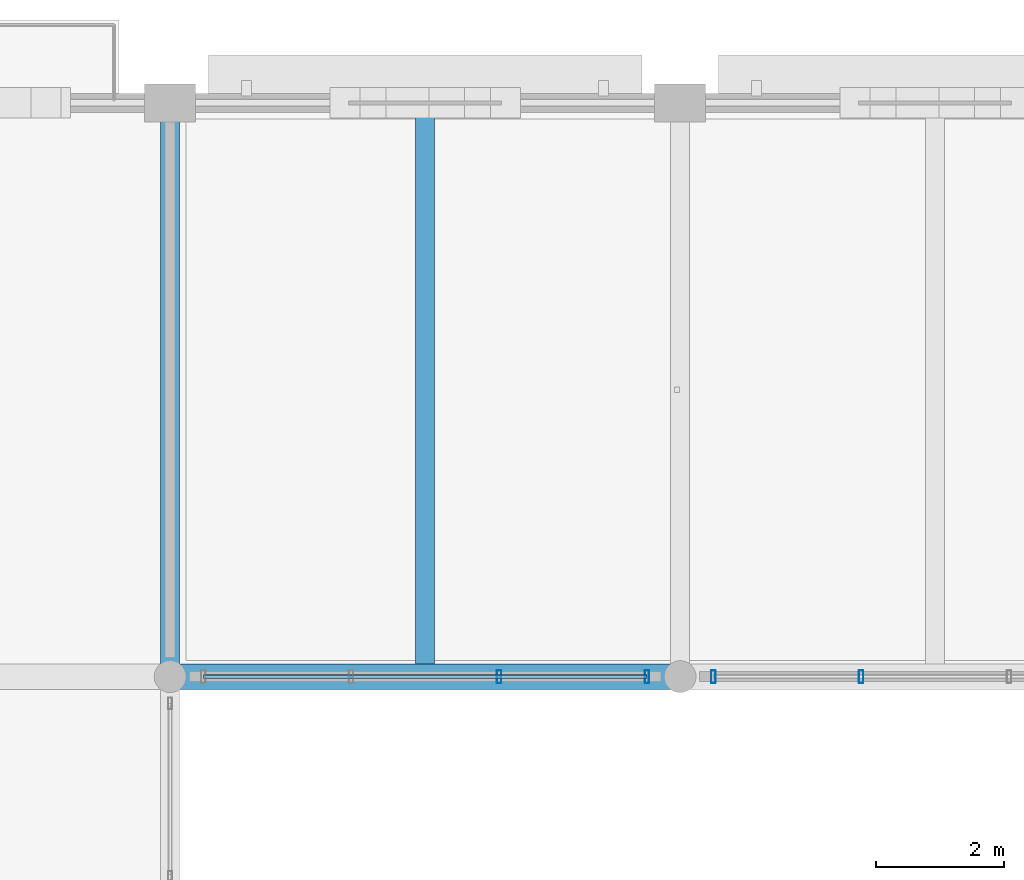
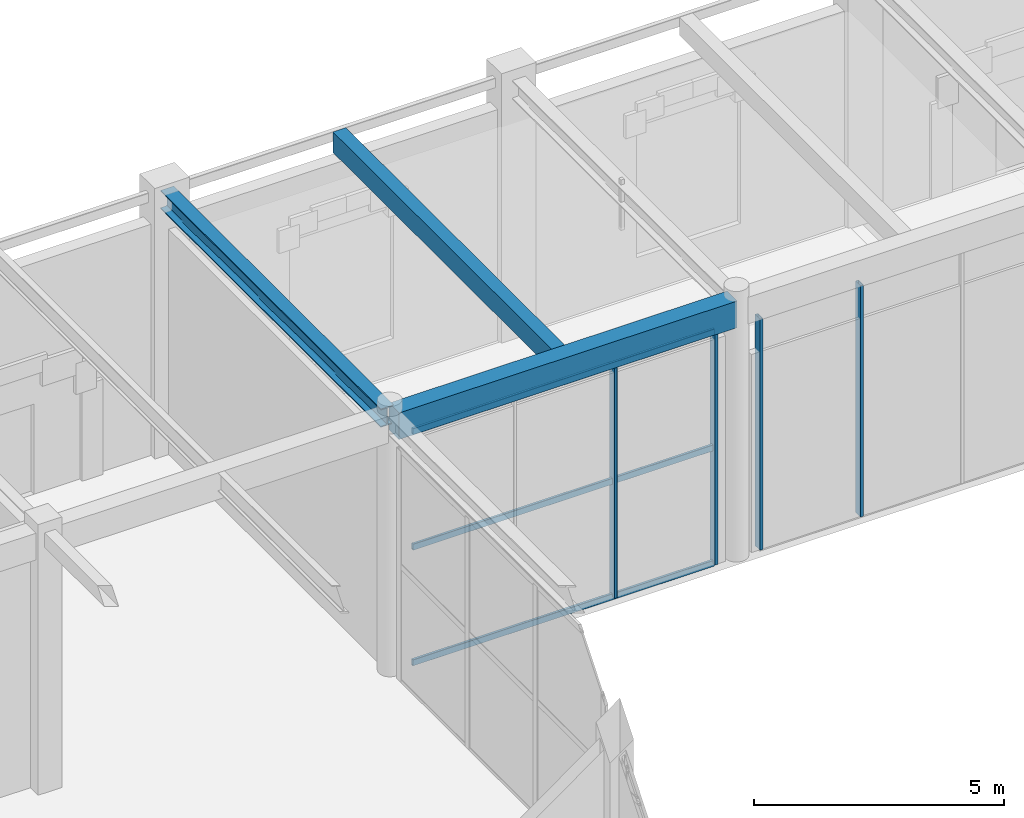
# One storey, part 73 of 163: 7 members, 3 beams, 2 elements without a shape of their own.
"""IFC4 building model written with IfcOpenShell, lengths in metres."""

from ifc_helpers import new_model, si_unit, direction, frame, origin, origin_2d, place, context, subcontext, project, spatial, rectangle, hollow_rectangle, i_section, extrude, material, material_profile, profile_set, type_object, element, aggregate, save


model = new_model("IFC4")

# Units and contexts
model_context = context("Model", 3, precision=1e-05, world=origin(), true_north=direction((0.0, 1.0)))
body_context = subcontext(model_context, "Body", "Model", "MODEL_VIEW")
ifc_project = project(units=[si_unit("LENGTHUNIT", "METRE"), si_unit("AREAUNIT", "SQUARE_METRE"), si_unit("VOLUMEUNIT", "CUBIC_METRE"), si_unit("PLANEANGLEUNIT", "RADIAN"), si_unit("MASSUNIT", "GRAM", prefix="KILO")], contexts=[model_context])

# Site, building, storey
site_placement = place(None, origin())
site = spatial("IfcSite", under=ifc_project, at=site_placement, CompositionType="ELEMENT")
building_placement = place(site_placement, origin())
building = spatial("IfcBuilding", under=site, at=building_placement, Name="Varnabhumi Central Station", CompositionType="ELEMENT")
storey_placement = place(building_placement, frame((0.0, 0.0, 9.60009765625)))
storey = spatial("IfcBuildingStorey", under=building, at=storey_placement, Name="L02", CompositionType="ELEMENT", Elevation=9.60009765625)

# Beams
ifc_material_1 = material(Name="Concrete M40", Category="concrete")
ifc_material_profile_1 = material_profile(ifc_material_1, rectangle(XDim=0.300048828125, YDim=0.5, at=origin_2d()), Name="Concrete M40", Category="concrete")
ifc_profile_set_1 = profile_set([ifc_material_profile_1], Name="Concrete M40")
beam_type_1 = type_object("IfcBeamType", Name="BM-RC-300x500", PredefinedType="JOIST", material=ifc_profile_set_1)
beam_1_placement = place(storey_placement, frame((52.0, 107.199951171875, 6.099853515625), z_axis=(0.0, 1.0, 0.0), x_axis=(-1.0, 0.0, 0.0)))
element("IfcBeam", 1, at=beam_1_placement, inside=storey, type_object=beam_type_1, Name="Secondary Joist L02-7/8:N-P", PredefinedType="JOIST", context=body_context, shape_type="SweptSolid", body=[
    extrude(rectangle(XDim=0.300048828125, YDim=0.5, at=origin_2d()), origin(), (0.0, 0.0, 1.0), 8.739990234375),
])
ifc_material_profile_2 = material_profile(ifc_material_1, rectangle(XDim=0.39990234375, YDim=0.64990234375, at=origin_2d()), Name="Concrete M40", Category="concrete")
ifc_profile_set_2 = profile_set([ifc_material_profile_2], Name="Concrete M40")
beam_type_2 = type_object("IfcBeamType", Name="BM-RC-400x650", PredefinedType="BEAM", material=ifc_profile_set_2)
beam_2_placement = place(storey_placement, frame((48.10009765625, 107.0, 6.02490234375), z_axis=(1.0, 0.0, 0.0), x_axis=(0.0, 1.0, 0.0)))
element("IfcBeam", 2, at=beam_2_placement, inside=storey, type_object=beam_type_2, Name="Beam L02-N:7-8", PredefinedType="BEAM", context=body_context, shape_type="SweptSolid", body=[
    extrude(rectangle(XDim=0.39990234375, YDim=0.64990234375, at=origin_2d()), origin(), (0.0, 0.0, 1.0), 7.7998046875),
])
ifc_material_2 = material(Name="Structural steel E350", Category="steel")
ifc_material_profile_3 = material_profile(ifc_material_2, i_section(OverallWidth=0.300048828125, OverallDepth=0.449951171875, WebThickness=0.013916015625, FlangeThickness=0.02587890625, FilletRadius=0.027099609375, at=origin_2d()), Name="Structural steel E350", Category="steel")
ifc_profile_set_3 = profile_set([ifc_material_profile_3], Name="Structural steel E350")
beam_type_3 = type_object("IfcBeamType", Name="BM-STL-WPB450", PredefinedType="BEAM", material=ifc_profile_set_3)
beam_3_placement = place(storey_placement, frame((48.0, 107.10009765625, 6.125), z_axis=(0.0, 1.0, 0.0), x_axis=(-1.0, 0.0, 0.0)))
element("IfcBeam", 3, at=beam_3_placement, inside=storey, type_object=beam_type_3, Name="Beam L02-7:N-P", PredefinedType="BEAM", context=body_context, shape_type="SweptSolid", body=[
    extrude(i_section(OverallWidth=0.300048828125, OverallDepth=0.449951171875, WebThickness=0.013916015625, FlangeThickness=0.02587890625, FilletRadius=0.027099609375, at=origin_2d()), origin(), (0.0, 0.0, 1.0), 8.7998046875),
])

# Curtain wall, members
ifc_material_3 = material(Name="Anodised aluminium 6063-T6", Category="aluminium")
curtain_wall_type = type_object("IfcCurtainWallType", Name="CW-PATIO-LOGGIA-L2", PredefinedType="NOTDEFINED", material=ifc_material_3)
curtain_wall_1_placement = place(storey_placement, origin())
curtain_wall_1 = element("IfcCurtainWall", 4, at=curtain_wall_1_placement, inside=storey, type_object=curtain_wall_type, Name="Curtain Wall CW-NP2N1", PredefinedType="NOTDEFINED")
ifc_material_profile_4 = material_profile(ifc_material_3, hollow_rectangle(XDim=0.070068359375, YDim=0.199951171875, WallThickness=0.00439453125, InnerFilletRadius=0.00146484375, OuterFilletRadius=0.006103515625, at=origin_2d()), Name="Anodised aluminium 6063-T6", Category="aluminium")
ifc_profile_set_4 = profile_set([ifc_material_profile_4], Name="Anodised aluminium 6063-T6")
member_type_1 = type_object("IfcMemberType", Name="CW-MUL-200", PredefinedType="MULLION", material=ifc_profile_set_4)
member_1_placement = place(storey_placement, frame((53.159912109375, 107.0, 0.0), z_axis=(0.0, 0.0, 1.0), x_axis=(1.0, 0.0, 0.0)))
member_1 = element("IfcMember", 5, at=member_1_placement, type_object=member_type_1, Name="Curtain Wall Mullion CW-NP2N1-M3", PredefinedType="MULLION", context=body_context, shape_type="SweptSolid", body=[
    extrude(hollow_rectangle(XDim=0.070068359375, YDim=0.199951171875, WallThickness=0.00439453125, InnerFilletRadius=0.00146484375, OuterFilletRadius=0.006103515625, at=origin_2d()), origin(), (0.0, 0.0, 1.0), 5.639892578125),
])
member_2_placement = place(storey_placement, frame((55.47998046875, 107.0, 0.0), z_axis=(0.0, 0.0, 1.0), x_axis=(1.0, 0.0, 0.0)))
member_2 = element("IfcMember", 6, at=member_2_placement, type_object=member_type_1, Name="Curtain Wall Mullion CW-NP2N1-M4", PredefinedType="MULLION", context=body_context, shape_type="SweptSolid", body=[
    extrude(hollow_rectangle(XDim=0.070068359375, YDim=0.199951171875, WallThickness=0.00439453125, InnerFilletRadius=0.00146484375, OuterFilletRadius=0.006103515625, at=origin_2d()), origin(), (0.0, 0.0, 1.0), 5.639892578125),
])

curtain_wall_2_placement = place(storey_placement, origin())
curtain_wall_2 = element("IfcCurtainWall", 7, at=curtain_wall_2_placement, inside=storey, type_object=curtain_wall_type, Name="Curtain Wall CW-NP2N2", PredefinedType="NOTDEFINED")
member_3_placement = place(storey_placement, frame((56.52001953125, 107.0, 0.0), z_axis=(0.0, 0.0, 1.0), x_axis=(1.0, 0.0, 0.0)))
member_3 = element("IfcMember", 8, at=member_3_placement, type_object=member_type_1, Name="Curtain Wall Mullion CW-NP2N2-M1", PredefinedType="MULLION", context=body_context, shape_type="SweptSolid", body=[
    extrude(hollow_rectangle(XDim=0.070068359375, YDim=0.199951171875, WallThickness=0.00439453125, InnerFilletRadius=0.00146484375, OuterFilletRadius=0.006103515625, at=origin_2d()), origin(), (0.0, 0.0, 1.0), 5.639892578125),
])
member_4_placement = place(storey_placement, frame((58.840087890625, 107.0, 0.0), z_axis=(0.0, 0.0, 1.0), x_axis=(1.0, 0.0, 0.0)))
member_4 = element("IfcMember", 9, at=member_4_placement, type_object=member_type_1, Name="Curtain Wall Mullion CW-NP2N2-M2", PredefinedType="MULLION", context=body_context, shape_type="SweptSolid", body=[
    extrude(hollow_rectangle(XDim=0.070068359375, YDim=0.199951171875, WallThickness=0.00439453125, InnerFilletRadius=0.00146484375, OuterFilletRadius=0.006103515625, at=origin_2d()), origin(), (0.0, 0.0, 1.0), 5.639892578125),
])
aggregate(curtain_wall_2, [member_3, member_4])

# Member
ifc_material_profile_5 = material_profile(ifc_material_3, hollow_rectangle(XDim=0.06005859375, YDim=0.14990234375, WallThickness=0.00390625, InnerFilletRadius=0.001953125, OuterFilletRadius=0.006103515625, at=origin_2d()), Name="Anodised aluminium 6063-T6", Category="aluminium")
ifc_profile_set_5 = profile_set([ifc_material_profile_5], Name="Anodised aluminium 6063-T6")
member_type_2 = type_object("IfcMemberType", Name="CW-TR-150", PredefinedType="USERDEFINED", material=ifc_profile_set_5)
member_5_placement = place(storey_placement, frame((48.52001953125, 107.0, 0.0), z_axis=(1.0, 0.0, 0.0), x_axis=(0.0, 1.0, 0.0)))
member_5 = element("IfcMember", 10, at=member_5_placement, type_object=member_type_2, Name="Curtain Wall Transom CW-NP2N1-T1", ObjectType="TRANSOM", PredefinedType="USERDEFINED", context=body_context, shape_type="SweptSolid", body=[
    extrude(hollow_rectangle(XDim=0.06005859375, YDim=0.14990234375, WallThickness=0.00390625, InnerFilletRadius=0.001953125, OuterFilletRadius=0.006103515625, at=origin_2d()), origin(), (0.0, 0.0, 1.0), 6.9599609375),
])

member_6_placement = place(storey_placement, frame((48.52001953125, 107.0, 2.81982421875), z_axis=(1.0, 0.0, 0.0), x_axis=(0.0, 1.0, 0.0)))
member_6 = element("IfcMember", 11, at=member_6_placement, type_object=member_type_2, Name="Curtain Wall Transom CW-NP2N1-T2", ObjectType="TRANSOM", PredefinedType="USERDEFINED", context=body_context, shape_type="SweptSolid", body=[
    extrude(hollow_rectangle(XDim=0.06005859375, YDim=0.14990234375, WallThickness=0.00390625, InnerFilletRadius=0.001953125, OuterFilletRadius=0.006103515625, at=origin_2d()), origin(), (0.0, 0.0, 1.0), 6.9599609375),
])

member_7_placement = place(storey_placement, frame((48.52001953125, 107.0, 5.639892578125), z_axis=(1.0, 0.0, 0.0), x_axis=(0.0, 1.0, 0.0)))
member_7 = element("IfcMember", 12, at=member_7_placement, type_object=member_type_2, Name="Curtain Wall Transom CW-NP2N1-T3", ObjectType="TRANSOM", PredefinedType="USERDEFINED", context=body_context, shape_type="SweptSolid", body=[
    extrude(hollow_rectangle(XDim=0.06005859375, YDim=0.14990234375, WallThickness=0.00390625, InnerFilletRadius=0.001953125, OuterFilletRadius=0.006103515625, at=origin_2d()), origin(), (0.0, 0.0, 1.0), 6.9599609375),
])

aggregate(curtain_wall_1, [member_1, member_2, member_5, member_6, member_7])

save(model, "model.ifc")
